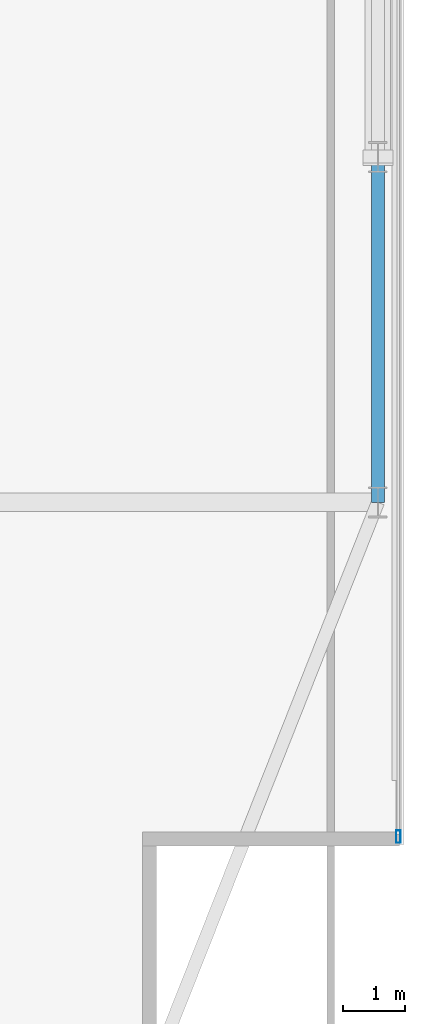
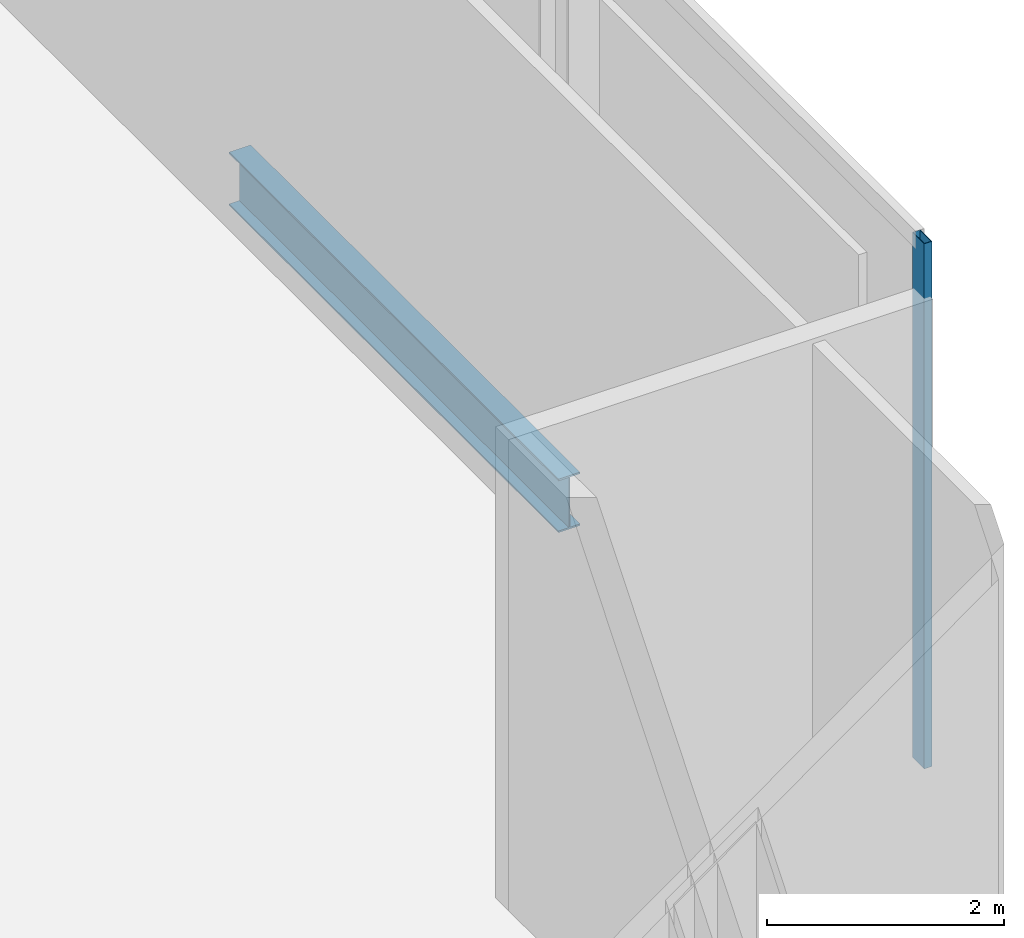
# One storey, part 12 of 22: 1 beam, 1 member, 1 element without a shape of its own.
"""IFC4 building model written with IfcOpenShell, lengths in metres."""

from ifc_helpers import new_model, si_unit, direction, frame, origin, origin_2d, place, context, subcontext, project, spatial, hollow_rectangle, i_section, extrude, material, material_profile, profile_set, type_object, element, aggregate, save


model = new_model("IFC4")

# Units and contexts
model_context = context("Model", 3, precision=1e-05, world=origin(), true_north=direction((0.0, 1.0)))
body_context = subcontext(model_context, "Body", "Model", "MODEL_VIEW")
ifc_project = project(units=[si_unit("LENGTHUNIT", "METRE"), si_unit("AREAUNIT", "SQUARE_METRE"), si_unit("VOLUMEUNIT", "CUBIC_METRE"), si_unit("PLANEANGLEUNIT", "RADIAN"), si_unit("MASSUNIT", "GRAM", prefix="KILO")], contexts=[model_context])

# Site, building, storey
site_placement = place(None, origin())
site = spatial("IfcSite", under=ifc_project, at=site_placement, CompositionType="ELEMENT")
building_placement = place(site_placement, origin())
building = spatial("IfcBuilding", under=site, at=building_placement, Name="Khoronbel Lancet Exchange", CompositionType="ELEMENT")
storey_placement = place(building_placement, frame((0.0, 0.0, 367.39990234375)))
storey = spatial("IfcBuildingStorey", under=building, at=storey_placement, Name="L94", CompositionType="ELEMENT", Elevation=367.39990234375)

# Beam
ifc_material_1 = material(Name="Steel S355", Category="steel")
ifc_material_profile_1 = material_profile(ifc_material_1, i_section(OverallWidth=0.2099609375, OverallDepth=0.550048828125, WebThickness=0.010986328125, FlangeThickness=0.01708984375, at=origin_2d()), Name="IPE 550")
ifc_profile_set_1 = profile_set([ifc_material_profile_1], Name="Steel S355")
beam_type = type_object("IfcBeamType", Name="BM-BSP3", PredefinedType="SPANDREL", material=ifc_profile_set_1)
beam_placement = place(storey_placement, frame((61.6298828125, 19.199951171875, -0.474853515625), z_axis=(0.0, 1.0, 0.0), x_axis=(-1.0, 0.0, 0.0)))
element("IfcBeam", 1, at=beam_placement, inside=storey, type_object=beam_type, Name="Level L94 perimeter spandrel beam SP09", PredefinedType="SPANDREL", context=body_context, shape_type="SweptSolid", body=[
    extrude(i_section(OverallWidth=0.2099609375, OverallDepth=0.550048828125, WebThickness=0.010986328125, FlangeThickness=0.01708984375, at=origin_2d()), origin(), (0.0, 0.0, 1.0), 5.550048828125),
])

# Curtain wall, member
ifc_material_2 = material(Name="Low-E Solar Control Insulating Glass", Category="glass")
curtain_wall_type = type_object("IfcCurtainWallType", Name="CW-6", PredefinedType="NOTDEFINED", material=ifc_material_2)
curtain_wall_placement = place(storey_placement, origin())
curtain_wall = element("IfcCurtainWall", 2, at=curtain_wall_placement, inside=storey, type_object=curtain_wall_type, Name="Unitised curtain wall CW-L94-E09", PredefinedType="NOTDEFINED")
ifc_material_3 = material(Name="Bronze-Anodised Aluminium 6063-T6", Category="aluminium")
ifc_material_profile_2 = material_profile(ifc_material_3, hollow_rectangle(XDim=0.074951171875, YDim=0.199951171875, WallThickness=0.0048828125, at=origin_2d()), Name="ALU MULLION 75x200")
ifc_profile_set_2 = profile_set([ifc_material_profile_2], Name="Bronze-Anodised Aluminium 6063-T6")
member_type = type_object("IfcMemberType", Name="MEM-CWM2", PredefinedType="MULLION", material=ifc_profile_set_2)
member_placement = place(storey_placement, frame((61.9599609375, 13.827392578125, 0.0), z_axis=(0.0, 0.0, 1.0), x_axis=(1.0, 0.0, 0.0)))
member = element("IfcMember", 3, at=member_placement, type_object=member_type, Name="CW6 mullion 3", PredefinedType="MULLION", context=body_context, shape_type="SweptSolid", body=[
    extrude(hollow_rectangle(XDim=0.074951171875, YDim=0.199951171875, WallThickness=0.0048828125, at=origin_2d()), origin(), (0.0, 0.0, 1.0), 5.400146484375),
])
aggregate(curtain_wall, [member])

save(model, "model.ifc")
